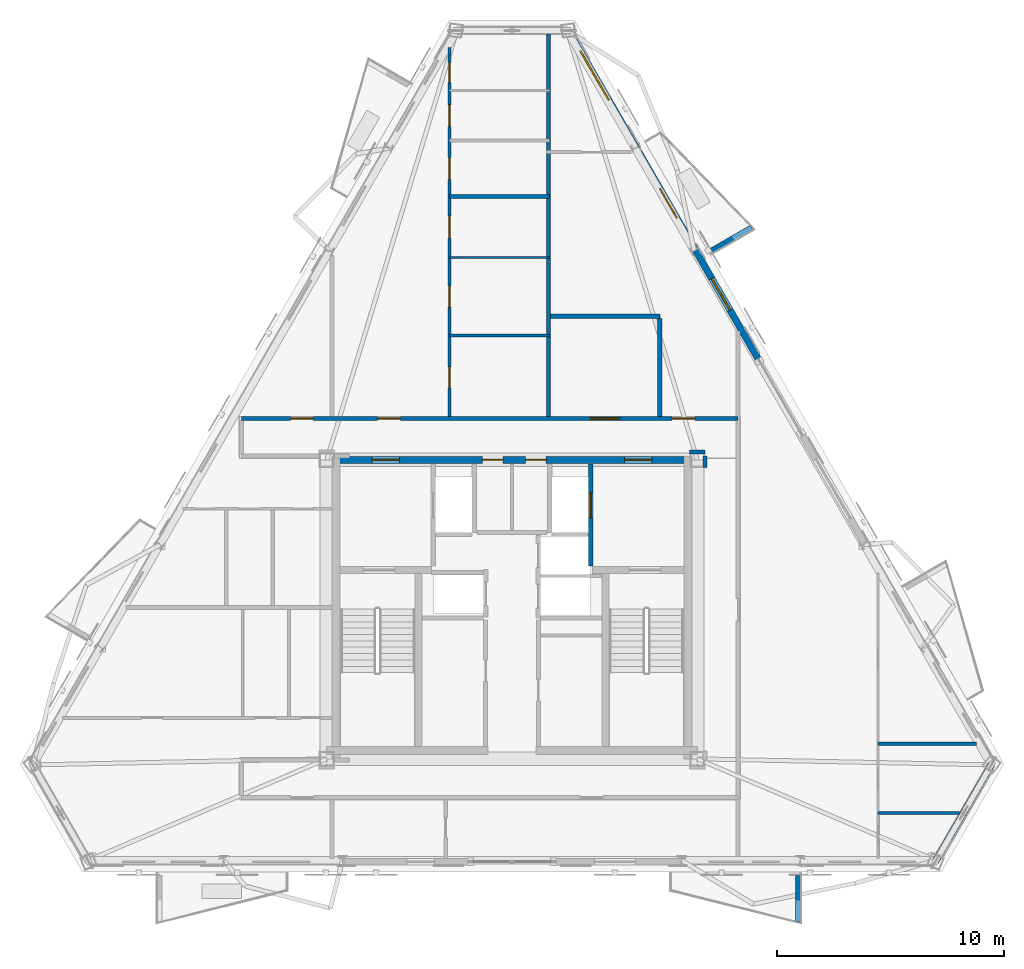
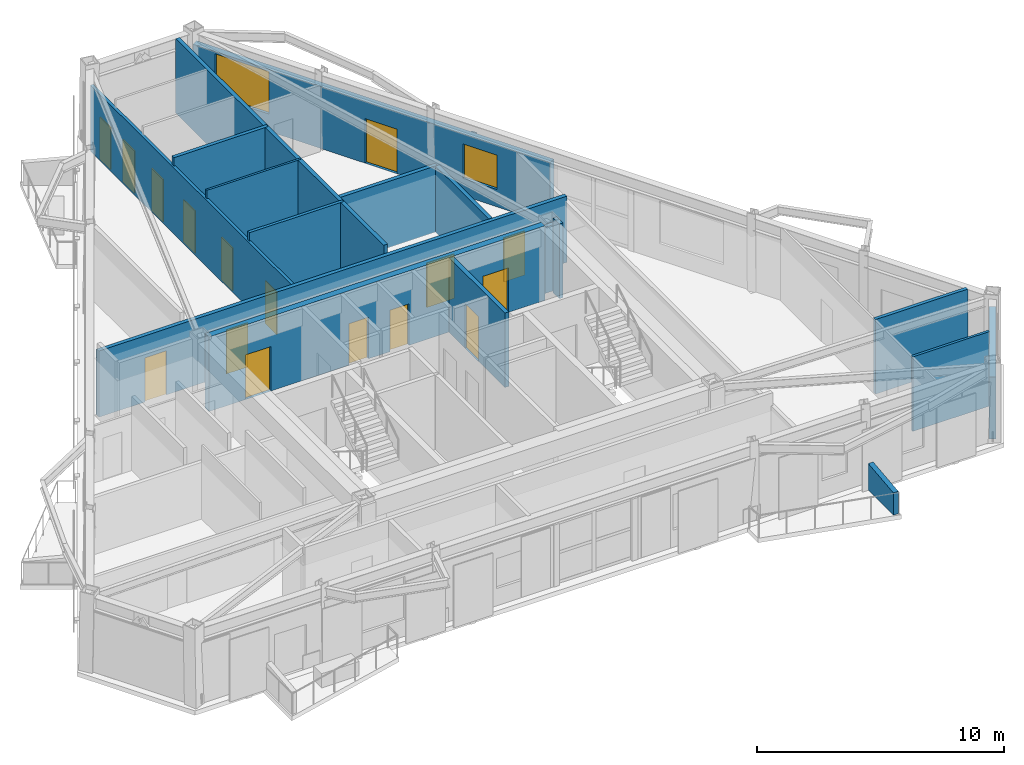
# One storey, part 10 of 15: 18 walls, 16 doors, 2 windows, 18 openings.
"""IFC4 building model written with IfcOpenShell, lengths in metres."""

from ifc_helpers import new_model, si_unit, direction, frame, frame_2d, origin, place, context, subcontext, project, spatial, polyline, rectangle, outline, extrude, material, layer, layer_set, type_object, element, fill, save


model = new_model("IFC4")

# Units and contexts
model_context = context("Model", 3, precision=1e-05, world=origin(), true_north=direction((0.0, 1.0)))
body_context = subcontext(model_context, "Body", "Model", "MODEL_VIEW")
ifc_project = project(units=[si_unit("LENGTHUNIT", "METRE"), si_unit("AREAUNIT", "SQUARE_METRE"), si_unit("VOLUMEUNIT", "CUBIC_METRE"), si_unit("PLANEANGLEUNIT", "RADIAN"), si_unit("MASSUNIT", "GRAM", prefix="KILO")], contexts=[model_context])

# Site, building, storey
site_placement = place(None, origin())
site = spatial("IfcSite", under=ifc_project, at=site_placement, CompositionType="ELEMENT")
building_placement = place(site_placement, origin())
building = spatial("IfcBuilding", under=site, at=building_placement, Name="Oramaril Tower", CompositionType="ELEMENT")
storey_placement = place(building_placement, frame((0.0, 0.0, 265.5)))
storey = spatial("IfcBuildingStorey", under=building, at=storey_placement, Name="L70", CompositionType="ELEMENT", Elevation=265.5)

# Wall
ifc_material_1 = material(Name="Warm Cream Limestone", Category="masonry")
ifc_layer_1 = layer(ifc_material_1, 0.2900390625)
ifc_layer_set_1 = layer_set([ifc_layer_1], Name="WT-EXT29")
wall_type_1 = type_object("IfcWallType", Name="WT-EXT29", PredefinedType="SOLIDWALL", material=ifc_layer_set_1)
wall_1_placement = place(storey_placement, frame((56.1240234375, 6.474853515625, 0.0), z_axis=(0.0, 0.0, 1.0), x_axis=(0.500012700186, 0.866018071205, 0.0)))
element("IfcWall", 1, at=wall_1_placement, inside=storey, type_object=wall_type_1, Name="L70 Tower Limestone Facade Wall 3M", PredefinedType="SOLIDWALL", context=body_context, shape_type="SweptSolid", body=[
    extrude(rectangle(XDim=4.975341796875, YDim=0.2900390625, at=frame_2d((2.48779296875, 0.0))), origin(), (0.0, 0.0, 1.0), 3.05810546875),
])

# Wall, openings, door, windows
wall_2_placement = place(storey_placement, frame((48.32470703125, 28.601318359375, 0.0), z_axis=(0.0, 0.0, 1.0), x_axis=(-0.499994109833, 0.866028804447, 0.0)))
wall_2 = element("IfcWall", 2, at=wall_2_placement, inside=storey, type_object=wall_type_1, Name="L70 Tower Limestone Facade Wall 4R", PredefinedType="SOLIDWALL", context=body_context, shape_type="SweptSolid", body=[
    extrude(rectangle(XDim=16.674072265625, YDim=0.2900390625, at=frame_2d((8.3369140625, 0.0))), origin(), (0.0, 0.0, 1.0), 3.05810546875),
])
opening_1_placement = place(wall_2_placement, frame((7.139892578125, 0.0, 0.0)))
opening_1 = element("IfcOpeningElement", 3, at=opening_1_placement, cuts=wall_2, Name="Opening D-L70-BAL-NE2", PredefinedType="OPENING", context=body_context, shape_type="SweptSolid", body=[
    extrude(rectangle(XDim=1.5, YDim=2.199951171875, at=frame_2d((0.75, 1.10009765625))), frame((0.0, 0.14501953125, 0.0), z_axis=(0.0, -1.0, 0.0), x_axis=(1.0, 0.0, 0.0)), (0.0, 0.0, 1.0), 0.2900390625),
])
opening_2_placement = place(wall_2_placement, frame((2.47216796875, 0.0, 0.85009765625)))
opening_2 = element("IfcOpeningElement", 4, at=opening_2_placement, cuts=wall_2, Name="Opening WN-07", PredefinedType="OPENING", context=body_context, shape_type="SweptSolid", body=[
    extrude(rectangle(XDim=1.60009765625, YDim=1.699951171875, at=frame_2d((0.800048828125, 0.85009765625))), frame((0.0, 0.14501953125, 0.0), z_axis=(0.0, -1.0, 0.0), x_axis=(1.0, 0.0, 0.0)), (0.0, 0.0, 1.0), 0.2900390625),
])
opening_3_placement = place(wall_2_placement, frame((13.1376953125, 0.0, 0.85009765625)))
opening_3 = element("IfcOpeningElement", 5, at=opening_3_placement, cuts=wall_2, Name="Opening WN-11", PredefinedType="OPENING", context=body_context, shape_type="SweptSolid", body=[
    extrude(rectangle(XDim=2.5, YDim=2.097900390625, at=frame_2d((1.25, 1.048828125))), frame((0.0, 0.14501953125, 0.0), z_axis=(0.0, -1.0, 0.0), x_axis=(1.0, 0.0, 0.0)), (0.0, 0.0, 1.0), 0.2900390625),
])
ifc_material_2 = material(Name="Anodised Aluminium 6063-T6", Category="aluminium")
door_type_1 = type_object("IfcDoorType", Name="DT-BAL", OperationType="NOTDEFINED", PredefinedType="DOOR", material=ifc_material_2)
door_1_placement = place(opening_1_placement, origin())
door_1 = element("IfcDoor", 6, at=door_1_placement, inside=storey, type_object=door_type_1, Name="L70 Balcony Glazed Door L70-BAL-NE2", OperationType="SINGLE_SWING_RIGHT", OverallHeight=2.199951171875, OverallWidth=1.5, PredefinedType="DOOR", context=body_context, shape_type="SweptSolid", body=[
    extrude(rectangle(XDim=1.5, YDim=2.199951171875, at=frame_2d((0.75, 1.10009765625))), frame((0.0, 0.02490234375, 0.0), z_axis=(0.0, -1.0, 0.0), x_axis=(1.0, 0.0, 0.0)), (0.0, 0.0, 1.0), 0.050048828125),
])
fill(opening_1, door_1)
ifc_material_3 = material(Name="Coastal Low-E Insulated Glass", Category="glass")
window_type_1 = type_object("IfcWindowType", Name="WNT-07", PartitioningType="SINGLE_PANEL", PredefinedType="WINDOW", material=ifc_material_3)
window_1_placement = place(opening_2_placement, origin())
window_1 = element("IfcWindow", 7, at=window_1_placement, inside=storey, type_object=window_type_1, Name="L70 Chicago Bay Window WN-07", OverallHeight=1.699951171875, OverallWidth=1.60009765625, PartitioningType="SINGLE_PANEL", PredefinedType="WINDOW", context=body_context, shape_type="SweptSolid", body=[
    extrude(rectangle(XDim=1.60009765625, YDim=1.699951171875, at=frame_2d((0.800048828125, 0.85009765625))), frame((0.0, 0.030029296875, 0.0), z_axis=(0.0, -1.0, 0.0), x_axis=(1.0, 0.0, 0.0)), (0.0, 0.0, 1.0), 0.06005859375),
])
fill(opening_2, window_1)
ifc_material_4 = material(Name="Coastal Low-E Insulated Glass", Category="glass")
window_type_2 = type_object("IfcWindowType", Name="WNT-11", PartitioningType="SINGLE_PANEL", PredefinedType="WINDOW", material=ifc_material_4)
window_2_placement = place(opening_3_placement, origin())
window_2 = element("IfcWindow", 8, at=window_2_placement, inside=storey, type_object=window_type_2, Name="L70 Chicago Bay Window WN-11", OverallHeight=2.097900390625, OverallWidth=2.5, PartitioningType="SINGLE_PANEL", PredefinedType="WINDOW", context=body_context, shape_type="SweptSolid", body=[
    extrude(rectangle(XDim=2.5, YDim=2.097900390625, at=frame_2d((1.25, 1.048828125))), frame((0.0, 0.030029296875, 0.0), z_axis=(0.0, -1.0, 0.0), x_axis=(1.0, 0.0, 0.0)), (0.0, 0.0, 1.0), 0.06005859375),
])
fill(opening_3, window_2)

# Walls
ifc_material_5 = material(Name="Concrete C40/50", Category="concrete")
ifc_layer_2 = layer(ifc_material_5, 0.22998046875)
ifc_layer_set_2 = layer_set([ifc_layer_2], Name="WT-PRP23")
wall_type_2 = type_object("IfcWallType", Name="WT-PRP23", PredefinedType="PARAPET", material=ifc_layer_set_2)
for number, where, z_axis, x_axis, name in (
    (9, (50.084716796875, 5.876708984375, 0.0), (0.0, 0.0, 1.0), (0.0, -1.0, 0.0), "L70 Trapezoidal Balcony Frame Cheek L70-BAL-S2-R"),
    (10, (46.270263671875, 33.355712890625, 0.0), (0.0, 0.0, 1.0), (0.866042246008, 0.499970827278, 0.0), "L70 Trapezoidal Balcony Frame Cheek L70-BAL-NE2-L"),
):
    element("IfcWall", number, at=place(storey_placement, frame(where, z_axis=z_axis, x_axis=x_axis)), inside=storey, type_object=wall_type_2, Name=name, PredefinedType="PARAPET", context=body_context, shape_type="SweptSolid", body=[
        extrude(outline(polyline([(0.0, 0.0), (2.0419921875, 0.0), (2.0419921875, 1.10009765625), (0.0, 1.320068359375), (0.0, 0.0)])), frame((0.0, 0.114990234375, 0.0), z_axis=(0.0, -1.0, 0.0), x_axis=(1.0, 0.0, 0.0)), (0.0, 0.0, 1.0), 0.22998046875),
    ])
ifc_material_6 = material(Name="Acoustic Gypsum Board Partition")
ifc_layer_3 = layer(ifc_material_6, 0.10009765625)
ifc_layer_set_3 = layer_set([ifc_layer_3], Name="WT-PT10")
wall_type_3 = type_object("IfcWallType", Name="WT-PT10", PredefinedType="PARTITIONING", material=ifc_layer_set_3)
wall_3_placement = place(storey_placement, frame((34.75, 33.050048828125, 0.0), z_axis=(0.0, 0.0, 1.0), x_axis=(1.0, 0.0, 0.0)))
element("IfcWall", 11, at=wall_3_placement, inside=storey, type_object=wall_type_3, Name="L70 Interior Partition PT-10", PredefinedType="PARTITIONING", context=body_context, shape_type="SweptSolid", body=[
    extrude(rectangle(XDim=4.39990234375, YDim=0.10009765625, at=frame_2d((2.199951171875, 0.0))), origin(), (0.0, 0.0, 1.0), 3.679931640625),
])
ifc_material_7 = material(Name="Acoustic Gypsum Board Partition")
ifc_layer_4 = layer(ifc_material_7, 0.1201171875)
ifc_layer_set_4 = layer_set([ifc_layer_4], Name="WT-PT12")
wall_type_4 = type_object("IfcWallType", Name="WT-PT12", PredefinedType="PARTITIONING", material=ifc_layer_set_4)
wall_4_placement = place(storey_placement, frame((53.603515625, 8.6201171875, 0.0), z_axis=(0.0, 0.0, 1.0), x_axis=(1.0, 0.0, 0.0)))
element("IfcWall", 12, at=wall_4_placement, inside=storey, type_object=wall_type_4, Name="L70 Interior Partition PT-12", PredefinedType="PARTITIONING", context=body_context, shape_type="SweptSolid", body=[
    extrude(rectangle(XDim=3.587158203125, YDim=0.1201171875, at=frame_2d((1.79345703125, 0.0))), origin(), (0.0, 0.0, 1.0), 3.679931640625),
])
ifc_material_8 = material(Name="Acoustic Gypsum Board Partition")
ifc_layer_5 = layer(ifc_material_8, 0.139892578125)
ifc_layer_set_5 = layer_set([ifc_layer_5], Name="WT-PT14")
wall_type_5 = type_object("IfcWallType", Name="WT-PT14", PredefinedType="PARTITIONING", material=ifc_layer_set_5)
wall_5_placement = place(storey_placement, frame((34.75, 29.6201171875, 0.0), z_axis=(0.0, 0.0, 1.0), x_axis=(1.0, 0.0, 0.0)))
element("IfcWall", 13, at=wall_5_placement, inside=storey, type_object=wall_type_5, Name="L70 Interior Partition PT-14", PredefinedType="PARTITIONING", context=body_context, shape_type="SweptSolid", body=[
    extrude(rectangle(XDim=4.39990234375, YDim=0.139892578125, at=frame_2d((2.199951171875, 0.0))), origin(), (0.0, 0.0, 1.0), 3.679931640625),
])

# Wall, openings, doors
wall_6_placement = place(storey_placement, frame((34.75, 26.06396484375, 0.0), z_axis=(0.0, 0.0, 1.0), x_axis=(0.0, 1.0, 0.0)))
wall_6 = element("IfcWall", 14, at=wall_6_placement, inside=storey, type_object=wall_type_5, Name="L70 Interior Partition PT-14", PredefinedType="PARTITIONING", context=body_context, shape_type="SweptSolid", body=[
    extrude(rectangle(XDim=16.225341796875, YDim=0.139892578125, at=frame_2d((8.11279296875, 0.0))), origin(), (0.0, 0.0, 1.0), 3.26611328125),
])
opening_4_placement = place(wall_6_placement, frame((1.25439453125, 0.0, 0.0)))
opening_4 = element("IfcOpeningElement", 15, at=opening_4_placement, cuts=wall_6, Name="Opening D-L70-15", PredefinedType="OPENING", context=body_context, shape_type="SweptSolid", body=[
    extrude(rectangle(XDim=0.919921875, YDim=2.1201171875, at=frame_2d((0.4599609375, 1.06005859375))), frame((0.0, 0.06982421875, 0.0), z_axis=(0.0, -1.0, 0.0), x_axis=(1.0, 0.0, 0.0)), (0.0, 0.0, 1.0), 0.139892578125),
])
opening_5_placement = place(wall_6_placement, frame((4.80859375, 0.0, 0.0)))
opening_5 = element("IfcOpeningElement", 16, at=opening_5_placement, cuts=wall_6, Name="Opening D-L70-16", PredefinedType="OPENING", context=body_context, shape_type="SweptSolid", body=[
    extrude(rectangle(XDim=0.919921875, YDim=2.1201171875, at=frame_2d((0.4599609375, 1.06005859375))), frame((0.0, 0.06982421875, 0.0), z_axis=(0.0, -1.0, 0.0), x_axis=(1.0, 0.0, 0.0)), (0.0, 0.0, 1.0), 0.139892578125),
])
opening_6_placement = place(wall_6_placement, frame((7.857666015625, 0.0, 0.0)))
opening_6 = element("IfcOpeningElement", 17, at=opening_6_placement, cuts=wall_6, Name="Opening D-L70-17", PredefinedType="OPENING", context=body_context, shape_type="SweptSolid", body=[
    extrude(rectangle(XDim=0.949951171875, YDim=2.10009765625, at=frame_2d((0.47509765625, 1.050048828125))), frame((0.0, 0.06982421875, 0.0), z_axis=(0.0, -1.0, 0.0), x_axis=(1.0, 0.0, 0.0)), (0.0, 0.0, 1.0), 0.139892578125),
])
opening_7_placement = place(wall_6_placement, frame((10.431396484375, 0.0, 0.0)))
opening_7 = element("IfcOpeningElement", 18, at=opening_7_placement, cuts=wall_6, Name="Opening D-L70-18", PredefinedType="OPENING", context=body_context, shape_type="SweptSolid", body=[
    extrude(rectangle(XDim=0.949951171875, YDim=2.10009765625, at=frame_2d((0.47509765625, 1.050048828125))), frame((0.0, 0.06982421875, 0.0), z_axis=(0.0, -1.0, 0.0), x_axis=(1.0, 0.0, 0.0)), (0.0, 0.0, 1.0), 0.139892578125),
])
opening_8_placement = place(wall_6_placement, frame((12.7578125, 0.0, 0.0)))
opening_8 = element("IfcOpeningElement", 19, at=opening_8_placement, cuts=wall_6, Name="Opening D-L70-19", PredefinedType="OPENING", context=body_context, shape_type="SweptSolid", body=[
    extrude(rectangle(XDim=0.949951171875, YDim=2.10009765625, at=frame_2d((0.47509765625, 1.050048828125))), frame((0.0, 0.06982421875, 0.0), z_axis=(0.0, -1.0, 0.0), x_axis=(1.0, 0.0, 0.0)), (0.0, 0.0, 1.0), 0.139892578125),
])
opening_9_placement = place(wall_6_placement, frame((14.683349609375, 0.0, 0.0)))
opening_9 = element("IfcOpeningElement", 20, at=opening_9_placement, cuts=wall_6, Name="Opening D-L70-20", PredefinedType="OPENING", context=body_context, shape_type="SweptSolid", body=[
    extrude(rectangle(XDim=0.8798828125, YDim=2.080078125, at=frame_2d((0.43994140625, 1.0400390625))), frame((0.0, 0.06982421875, 0.0), z_axis=(0.0, -1.0, 0.0), x_axis=(1.0, 0.0, 0.0)), (0.0, 0.0, 1.0), 0.139892578125),
])
ifc_material_9 = material(Name="FSC Brazilian Freijo Hardwood", Category="wood")
door_type_2 = type_object("IfcDoorType", Name="DT-BATH", OperationType="NOTDEFINED", PredefinedType="DOOR", material=ifc_material_9)
door_2_placement = place(opening_9_placement, origin())
door_2 = element("IfcDoor", 21, at=door_2_placement, inside=storey, type_object=door_type_2, Name="L70 Flat L70-U5 Bathroom Door D-L70-20", OperationType="SINGLE_SWING_LEFT", OverallHeight=2.080078125, OverallWidth=0.8798828125, PredefinedType="DOOR", context=body_context, shape_type="SweptSolid", body=[
    extrude(rectangle(XDim=0.8798828125, YDim=2.080078125, at=frame_2d((0.43994140625, 1.0400390625))), frame((0.0, 0.02490234375, 0.0), z_axis=(0.0, -1.0, 0.0), x_axis=(1.0, 0.0, 0.0)), (0.0, 0.0, 1.0), 0.050048828125),
])
fill(opening_9, door_2)
ifc_material_10 = material(Name="FSC Brazilian Freijo Hardwood", Category="wood")
door_type_3 = type_object("IfcDoorType", Name="DT-BED", OperationType="NOTDEFINED", PredefinedType="DOOR", material=ifc_material_10)
door_3_placement = place(opening_4_placement, origin())
door_3 = element("IfcDoor", 22, at=door_3_placement, inside=storey, type_object=door_type_3, Name="L70 Flat L70-U5 Master Bedroom Door D-L70-15", OperationType="SINGLE_SWING_RIGHT", OverallHeight=2.1201171875, OverallWidth=0.919921875, PredefinedType="DOOR", context=body_context, shape_type="SweptSolid", body=[
    extrude(rectangle(XDim=0.919921875, YDim=2.1201171875, at=frame_2d((0.4599609375, 1.06005859375))), frame((0.0, 0.02490234375, 0.0), z_axis=(0.0, -1.0, 0.0), x_axis=(1.0, 0.0, 0.0)), (0.0, 0.0, 1.0), 0.050048828125),
])
fill(opening_4, door_3)
door_4_placement = place(opening_5_placement, origin())
door_4 = element("IfcDoor", 23, at=door_4_placement, inside=storey, type_object=door_type_3, Name="L70 Flat L70-U5 Bedroom 2 Door D-L70-16", OperationType="SINGLE_SWING_LEFT", OverallHeight=2.1201171875, OverallWidth=0.919921875, PredefinedType="DOOR", context=body_context, shape_type="SweptSolid", body=[
    extrude(rectangle(XDim=0.919921875, YDim=2.1201171875, at=frame_2d((0.4599609375, 1.06005859375))), frame((0.0, 0.02490234375, 0.0), z_axis=(0.0, -1.0, 0.0), x_axis=(1.0, 0.0, 0.0)), (0.0, 0.0, 1.0), 0.050048828125),
])
fill(opening_5, door_4)
ifc_material_11 = material(Name="FSC Brazilian Freijo Hardwood", Category="wood")
door_type_4 = type_object("IfcDoorType", Name="DT-STDY", OperationType="NOTDEFINED", PredefinedType="DOOR", material=ifc_material_11)
door_5_placement = place(opening_6_placement, origin())
door_5 = element("IfcDoor", 24, at=door_5_placement, inside=storey, type_object=door_type_4, Name="L70 Flat L70-U5 Reading Study Door D-L70-17", OperationType="SINGLE_SWING_RIGHT", OverallHeight=2.10009765625, OverallWidth=0.949951171875, PredefinedType="DOOR", context=body_context, shape_type="SweptSolid", body=[
    extrude(rectangle(XDim=0.949951171875, YDim=2.10009765625, at=frame_2d((0.47509765625, 1.050048828125))), frame((0.0, 0.02490234375, 0.0), z_axis=(0.0, -1.0, 0.0), x_axis=(1.0, 0.0, 0.0)), (0.0, 0.0, 1.0), 0.050048828125),
])
fill(opening_6, door_5)
door_6_placement = place(opening_7_placement, origin())
door_6 = element("IfcDoor", 25, at=door_6_placement, inside=storey, type_object=door_type_4, Name="L70 Flat L70-U5 Private Dining Room Door D-L70-18", OperationType="SINGLE_SWING_LEFT", OverallHeight=2.10009765625, OverallWidth=0.949951171875, PredefinedType="DOOR", context=body_context, shape_type="SweptSolid", body=[
    extrude(rectangle(XDim=0.949951171875, YDim=2.10009765625, at=frame_2d((0.47509765625, 1.050048828125))), frame((0.0, 0.02490234375, 0.0), z_axis=(0.0, -1.0, 0.0), x_axis=(1.0, 0.0, 0.0)), (0.0, 0.0, 1.0), 0.050048828125),
])
fill(opening_7, door_6)
door_7_placement = place(opening_8_placement, origin())
door_7 = element("IfcDoor", 26, at=door_7_placement, inside=storey, type_object=door_type_4, Name="L70 Flat L70-U5 Kitchen Door D-L70-19", OperationType="SINGLE_SWING_RIGHT", OverallHeight=2.10009765625, OverallWidth=0.949951171875, PredefinedType="DOOR", context=body_context, shape_type="SweptSolid", body=[
    extrude(rectangle(XDim=0.949951171875, YDim=2.10009765625, at=frame_2d((0.47509765625, 1.050048828125))), frame((0.0, 0.02490234375, 0.0), z_axis=(0.0, -1.0, 0.0), x_axis=(1.0, 0.0, 0.0)), (0.0, 0.0, 1.0), 0.050048828125),
])
fill(opening_8, door_7)

# Walls
ifc_material_12 = material(Name="Acoustic Gypsum Board Partition")
ifc_layer_6 = layer(ifc_material_12, 0.159912109375)
ifc_layer_set_6 = layer_set([ifc_layer_6], Name="WT-PT16")
wall_type_6 = type_object("IfcWallType", Name="WT-PT16", PredefinedType="PARTITIONING", material=ifc_layer_set_6)
wall_7_placement = place(storey_placement, frame((53.603515625, 11.669921875, 0.0), z_axis=(0.0, 0.0, 1.0), x_axis=(1.0, 0.0, 0.0)))
element("IfcWall", 27, at=wall_7_placement, inside=storey, type_object=wall_type_6, Name="L70 Interior Partition PT-16", PredefinedType="PARTITIONING", context=body_context, shape_type="SweptSolid", body=[
    extrude(rectangle(XDim=4.324462890625, YDim=0.159912109375, at=frame_2d((2.162109375, 0.0))), origin(), (0.0, 0.0, 1.0), 3.679931640625),
])
wall_8_placement = place(storey_placement, frame((34.75, 35.739990234375, 0.0), z_axis=(0.0, 0.0, 1.0), x_axis=(1.0, 0.0, 0.0)))
element("IfcWall", 28, at=wall_8_placement, inside=storey, type_object=wall_type_6, Name="L70 Interior Partition PT-16", PredefinedType="PARTITIONING", context=body_context, shape_type="SweptSolid", body=[
    extrude(rectangle(XDim=4.39990234375, YDim=0.159912109375, at=frame_2d((2.199951171875, 0.0))), origin(), (0.0, 0.0, 1.0), 3.679931640625),
])
ifc_material_13 = material(Name="Autoclaved Cellular Concrete Block", Category="concrete")
ifc_layer_7 = layer(ifc_material_13, 0.179931640625)
ifc_layer_set_7 = layer_set([ifc_layer_7], Name="WT-PT18")
wall_type_7 = type_object("IfcWallType", Name="WT-PT18", PredefinedType="PARTITIONING", material=ifc_layer_set_7)
wall_9_placement = place(storey_placement, frame((45.304931640625, 24.5, 0.0), z_axis=(0.0, 0.0, 1.0), x_axis=(1.0, 0.0, 0.0)))
element("IfcWall", 29, at=wall_9_placement, inside=storey, type_object=wall_type_7, Name="L70 Interior Partition PT-18", PredefinedType="PARTITIONING", context=body_context, shape_type="SweptSolid", body=[
    extrude(rectangle(XDim=0.690185546875, YDim=0.179931640625, at=frame_2d((0.34521484375, 0.0))), origin(), (0.0, 0.0, 1.0), 3.26611328125),
])

# Wall, openings, doors
wall_10_placement = place(storey_placement, frame((25.60009765625, 25.969970703125, 0.0), z_axis=(0.0, 0.0, 1.0), x_axis=(1.0, 0.0, 0.0)))
wall_10 = element("IfcWall", 30, at=wall_10_placement, inside=storey, type_object=wall_type_7, Name="L70 Interior Partition PT-18", PredefinedType="PARTITIONING", context=body_context, shape_type="SweptSolid", body=[
    extrude(rectangle(XDim=21.849853515625, YDim=0.179931640625, at=frame_2d((10.9248046875, 0.0))), origin(), (0.0, 0.0, 1.0), 3.26611328125),
])
opening_10_placement = place(wall_10_placement, frame((2.160400390625, 0.0, 0.0)))
opening_10 = element("IfcOpeningElement", 31, at=opening_10_placement, cuts=wall_10, Name="Opening D-L70-09", PredefinedType="OPENING", context=body_context, shape_type="SweptSolid", body=[
    extrude(rectangle(XDim=1.0, YDim=2.179931640625, at=frame_2d((0.5, 1.08984375))), frame((0.0, 0.08984375, 0.0), z_axis=(0.0, -1.0, 0.0), x_axis=(1.0, 0.0, 0.0)), (0.0, 0.0, 1.0), 0.179931640625),
])
opening_11_placement = place(wall_10_placement, frame((5.991455078125, 0.0, 0.0)))
opening_11 = element("IfcOpeningElement", 32, at=opening_11_placement, cuts=wall_10, Name="Opening D-L70-10", PredefinedType="OPENING", context=body_context, shape_type="SweptSolid", body=[
    extrude(rectangle(XDim=1.0, YDim=2.179931640625, at=frame_2d((0.5, 1.08984375))), frame((0.0, 0.08984375, 0.0), z_axis=(0.0, -1.0, 0.0), x_axis=(1.0, 0.0, 0.0)), (0.0, 0.0, 1.0), 0.179931640625),
])
opening_12_placement = place(wall_10_placement, frame((15.35009765625, 0.0, 0.0)))
opening_12 = element("IfcOpeningElement", 33, at=opening_12_placement, cuts=wall_10, Name="Opening D-L70-11", PredefinedType="OPENING", context=body_context, shape_type="SweptSolid", body=[
    extrude(rectangle(XDim=1.300048828125, YDim=2.199951171875, at=frame_2d((0.64990234375, 1.10009765625))), frame((0.0, 0.08984375, 0.0), z_axis=(0.0, -1.0, 0.0), x_axis=(1.0, 0.0, 0.0)), (0.0, 0.0, 1.0), 0.179931640625),
])
opening_13_placement = place(wall_10_placement, frame((18.9404296875, 0.0, 0.0)))
opening_13 = element("IfcOpeningElement", 34, at=opening_13_placement, cuts=wall_10, Name="Opening D-L70-12", PredefinedType="OPENING", context=body_context, shape_type="SweptSolid", body=[
    extrude(rectangle(XDim=1.0, YDim=2.179931640625, at=frame_2d((0.5, 1.08984375))), frame((0.0, 0.08984375, 0.0), z_axis=(0.0, -1.0, 0.0), x_axis=(1.0, 0.0, 0.0)), (0.0, 0.0, 1.0), 0.179931640625),
])
ifc_material_14 = material(Name="FSC Brazilian Freijo Hardwood", Category="wood")
door_type_5 = type_object("IfcDoorType", Name="DT-APT", OperationType="NOTDEFINED", PredefinedType="DOOR", material=ifc_material_14)
door_8_placement = place(opening_10_placement, origin())
door_8 = element("IfcDoor", 35, at=door_8_placement, inside=storey, type_object=door_type_5, Name="L70 Flat L70-U3 Living and Dining Room Door D-L70-09", OperationType="SINGLE_SWING_RIGHT", OverallHeight=2.179931640625, OverallWidth=1.0, PredefinedType="DOOR", context=body_context, shape_type="SweptSolid", body=[
    extrude(rectangle(XDim=1.0, YDim=2.179931640625, at=frame_2d((0.5, 1.08984375))), frame((0.0, 0.02490234375, 0.0), z_axis=(0.0, -1.0, 0.0), x_axis=(1.0, 0.0, 0.0)), (0.0, 0.0, 1.0), 0.050048828125),
])
fill(opening_10, door_8)
door_9_placement = place(opening_11_placement, origin())
door_9 = element("IfcDoor", 36, at=door_9_placement, inside=storey, type_object=door_type_5, Name="L70 Flat L70-U5 2-Bedroom Living and Dining Room Door D-L70-10", OperationType="SINGLE_SWING_LEFT", OverallHeight=2.179931640625, OverallWidth=1.0, PredefinedType="DOOR", context=body_context, shape_type="SweptSolid", body=[
    extrude(rectangle(XDim=1.0, YDim=2.179931640625, at=frame_2d((0.5, 1.08984375))), frame((0.0, 0.02490234375, 0.0), z_axis=(0.0, -1.0, 0.0), x_axis=(1.0, 0.0, 0.0)), (0.0, 0.0, 1.0), 0.050048828125),
])
fill(opening_11, door_9)
door_10_placement = place(opening_13_placement, origin())
door_10 = element("IfcDoor", 37, at=door_10_placement, inside=storey, type_object=door_type_5, Name="L70 Flat L70-U6 Kitchen and Studio Apartment Door D-L70-12", OperationType="SINGLE_SWING_LEFT", OverallHeight=2.179931640625, OverallWidth=1.0, PredefinedType="DOOR", context=body_context, shape_type="SweptSolid", body=[
    extrude(rectangle(XDim=1.0, YDim=2.179931640625, at=frame_2d((0.5, 1.08984375))), frame((0.0, 0.02490234375, 0.0), z_axis=(0.0, -1.0, 0.0), x_axis=(1.0, 0.0, 0.0)), (0.0, 0.0, 1.0), 0.050048828125),
])
fill(opening_13, door_10)
ifc_material_15 = material(Name="FSC Brazilian Freijo Hardwood", Category="wood")
door_type_6 = type_object("IfcDoorType", Name="DT-COM", OperationType="NOTDEFINED", PredefinedType="DOOR", material=ifc_material_15)
door_11_placement = place(opening_12_placement, origin())
door_11 = element("IfcDoor", 38, at=door_11_placement, inside=storey, type_object=door_type_6, Name="L70 L70 Residents Reading Library Door D-L70-11", OperationType="SINGLE_SWING_RIGHT", OverallHeight=2.199951171875, OverallWidth=1.300048828125, PredefinedType="DOOR", context=body_context, shape_type="SweptSolid", body=[
    extrude(rectangle(XDim=1.300048828125, YDim=2.199951171875, at=frame_2d((0.64990234375, 1.10009765625))), frame((0.0, 0.02490234375, 0.0), z_axis=(0.0, -1.0, 0.0), x_axis=(1.0, 0.0, 0.0)), (0.0, 0.0, 1.0), 0.050048828125),
])
fill(opening_12, door_11)

# Walls
wall_11_placement = place(storey_placement, frame((39.199951171875, 30.469970703125, 0.0), z_axis=(0.0, 0.0, 1.0), x_axis=(1.0, 0.0, 0.0)))
element("IfcWall", 39, at=wall_11_placement, inside=storey, type_object=wall_type_7, Name="L70 Interior Partition PT-18", PredefinedType="PARTITIONING", context=body_context, shape_type="SweptSolid", body=[
    extrude(rectangle(XDim=4.800048828125, YDim=0.179931640625, at=frame_2d((2.39990234375, 0.0))), origin(), (0.0, 0.0, 1.0), 3.26611328125),
])
wall_12_placement = place(storey_placement, frame((39.10009765625, 26.06396484375, 0.0), z_axis=(0.0, 0.0, 1.0), x_axis=(0.0, 1.0, 0.0)))
element("IfcWall", 40, at=wall_12_placement, inside=storey, type_object=wall_type_7, Name="L70 Interior Partition PT-18", PredefinedType="PARTITIONING", context=body_context, shape_type="SweptSolid", body=[
    extrude(rectangle(XDim=16.82861328125, YDim=0.179931640625, at=frame_2d((8.414306640625, 0.0))), origin(), (0.0, 0.0, 1.0), 3.679931640625),
])
wall_13_placement = place(storey_placement, frame((44.0, 26.06396484375, 0.0), z_axis=(0.0, 0.0, 1.0), x_axis=(0.0, 1.0, 0.0)))
element("IfcWall", 41, at=wall_13_placement, inside=storey, type_object=wall_type_7, Name="L70 Interior Partition PT-18", PredefinedType="PARTITIONING", context=body_context, shape_type="SweptSolid", body=[
    extrude(rectangle(XDim=4.31201171875, YDim=0.179931640625, at=frame_2d((2.156005859375, 0.0))), origin(), (0.0, 0.0, 1.0), 3.26611328125),
])
wall_14_placement = place(storey_placement, frame((45.989990234375, 23.81005859375, 0.0), z_axis=(0.0, 0.0, 1.0), x_axis=(0.0, 1.0, 0.0)))
element("IfcWall", 42, at=wall_14_placement, inside=storey, type_object=wall_type_7, Name="L70 Interior Partition PT-18", PredefinedType="PARTITIONING", context=body_context, shape_type="SweptSolid", body=[
    extrude(rectangle(XDim=0.510009765625, YDim=0.179931640625, at=frame_2d((0.2548828125, 0.0))), origin(), (0.0, 0.0, 1.0), 3.679931640625),
])

# Wall, openings, doors
ifc_material_16 = material(Name="Concrete C50/60", Category="concrete")
ifc_layer_8 = layer(ifc_material_16, 0.300048828125)
ifc_layer_set_8 = layer_set([ifc_layer_8], Name="WT-SH30")
wall_type_8 = type_object("IfcWallType", Name="WT-SH30", PredefinedType="SHEAR", material=ifc_layer_set_8)
wall_15_placement = place(storey_placement, frame((29.64990234375, 24.14990234375, 0.0), z_axis=(0.0, 0.0, 1.0), x_axis=(1.0, 0.0, 0.0)))
wall_15 = element("IfcWall", 43, at=wall_15_placement, inside=storey, type_object=wall_type_8, Name="L70 Core Shear Wall CW-N", PredefinedType="SHEAR", context=body_context, shape_type="SweptSolid", body=[
    extrude(rectangle(XDim=15.7001953125, YDim=0.300048828125, at=frame_2d((7.85009765625, 0.0))), origin(), (0.0, 0.0, 1.0), 3.679931640625),
])
opening_14_placement = place(wall_15_placement, frame((1.699951171875, 0.0, 0.0)))
opening_14 = element("IfcOpeningElement", 44, at=opening_14_placement, cuts=wall_15, Name="Opening D-L70-FFL1", PredefinedType="OPENING", context=body_context, shape_type="SweptSolid", body=[
    extrude(rectangle(XDim=1.199951171875, YDim=2.199951171875, at=frame_2d((0.60009765625, 1.10009765625))), frame((0.0, 0.14990234375, 0.0), z_axis=(0.0, -1.0, 0.0), x_axis=(1.0, 0.0, 0.0)), (0.0, 0.0, 1.0), 0.300048828125),
])
opening_15_placement = place(wall_15_placement, frame((12.800048828125, 0.0, 0.0)))
opening_15 = element("IfcOpeningElement", 45, at=opening_15_placement, cuts=wall_15, Name="Opening D-L70-FFL2", PredefinedType="OPENING", context=body_context, shape_type="SweptSolid", body=[
    extrude(rectangle(XDim=1.199951171875, YDim=2.199951171875, at=frame_2d((0.60009765625, 1.10009765625))), frame((0.0, 0.14990234375, 0.0), z_axis=(0.0, -1.0, 0.0), x_axis=(1.0, 0.0, 0.0)), (0.0, 0.0, 1.0), 0.300048828125),
])
opening_16_placement = place(wall_15_placement, frame((6.550048828125, 0.0, 0.0)))
opening_16 = element("IfcOpeningElement", 46, at=opening_16_placement, cuts=wall_15, Name="Opening D-L70-SV1", PredefinedType="OPENING", context=body_context, shape_type="SweptSolid", body=[
    extrude(rectangle(XDim=0.89990234375, YDim=2.050048828125, at=frame_2d((0.449951171875, 1.02490234375))), frame((0.0, 0.14990234375, 0.0), z_axis=(0.0, -1.0, 0.0), x_axis=(1.0, 0.0, 0.0)), (0.0, 0.0, 1.0), 0.300048828125),
])
opening_17_placement = place(wall_15_placement, frame((8.449951171875, 0.0, 0.0)))
opening_17 = element("IfcOpeningElement", 47, at=opening_17_placement, cuts=wall_15, Name="Opening D-L70-SV2", PredefinedType="OPENING", context=body_context, shape_type="SweptSolid", body=[
    extrude(rectangle(XDim=0.89990234375, YDim=2.050048828125, at=frame_2d((0.449951171875, 1.02490234375))), frame((0.0, 0.14990234375, 0.0), z_axis=(0.0, -1.0, 0.0), x_axis=(1.0, 0.0, 0.0)), (0.0, 0.0, 1.0), 0.300048828125),
])
ifc_material_17 = material(Name="Painted Galvanised Steel", Category="steel")
door_type_7 = type_object("IfcDoorType", Name="DT-FFL", OperationType="NOTDEFINED", PredefinedType="DOOR", material=ifc_material_17)
door_12_placement = place(opening_14_placement, origin())
door_12 = element("IfcDoor", 48, at=door_12_placement, inside=storey, type_object=door_type_7, Name="L70 Firefighting Lobby 1 Fire Door", OperationType="SINGLE_SWING_LEFT", OverallHeight=2.199951171875, OverallWidth=1.199951171875, PredefinedType="DOOR", context=body_context, shape_type="SweptSolid", body=[
    extrude(rectangle(XDim=1.199951171875, YDim=2.199951171875, at=frame_2d((0.60009765625, 1.10009765625))), frame((0.0, 0.02490234375, 0.0), z_axis=(0.0, -1.0, 0.0), x_axis=(1.0, 0.0, 0.0)), (0.0, 0.0, 1.0), 0.050048828125),
])
fill(opening_14, door_12)
door_13_placement = place(opening_15_placement, origin())
door_13 = element("IfcDoor", 49, at=door_13_placement, inside=storey, type_object=door_type_7, Name="L70 Firefighting Lobby 2 Fire Door", OperationType="SINGLE_SWING_RIGHT", OverallHeight=2.199951171875, OverallWidth=1.199951171875, PredefinedType="DOOR", context=body_context, shape_type="SweptSolid", body=[
    extrude(rectangle(XDim=1.199951171875, YDim=2.199951171875, at=frame_2d((0.60009765625, 1.10009765625))), frame((0.0, 0.02490234375, 0.0), z_axis=(0.0, -1.0, 0.0), x_axis=(1.0, 0.0, 0.0)), (0.0, 0.0, 1.0), 0.050048828125),
])
fill(opening_15, door_13)
ifc_material_18 = material(Name="Painted Galvanised Steel", Category="steel")
door_type_8 = type_object("IfcDoorType", Name="DT-SVC", OperationType="NOTDEFINED", PredefinedType="DOOR", material=ifc_material_18)
door_14_placement = place(opening_16_placement, origin())
door_14 = element("IfcDoor", 50, at=door_14_placement, inside=storey, type_object=door_type_8, Name="L70 Core Service Store 1 Door", OperationType="SINGLE_SWING_LEFT", OverallHeight=2.050048828125, OverallWidth=0.89990234375, PredefinedType="DOOR", context=body_context, shape_type="SweptSolid", body=[
    extrude(rectangle(XDim=0.89990234375, YDim=2.050048828125, at=frame_2d((0.449951171875, 1.02490234375))), frame((0.0, 0.02490234375, 0.0), z_axis=(0.0, -1.0, 0.0), x_axis=(1.0, 0.0, 0.0)), (0.0, 0.0, 1.0), 0.050048828125),
])
fill(opening_16, door_14)
door_15_placement = place(opening_17_placement, origin())
door_15 = element("IfcDoor", 51, at=door_15_placement, inside=storey, type_object=door_type_8, Name="L70 Core Service Store 2 Door", OperationType="SINGLE_SWING_RIGHT", OverallHeight=2.050048828125, OverallWidth=0.89990234375, PredefinedType="DOOR", context=body_context, shape_type="SweptSolid", body=[
    extrude(rectangle(XDim=0.89990234375, YDim=2.050048828125, at=frame_2d((0.449951171875, 1.02490234375))), frame((0.0, 0.02490234375, 0.0), z_axis=(0.0, -1.0, 0.0), x_axis=(1.0, 0.0, 0.0)), (0.0, 0.0, 1.0), 0.050048828125),
])
fill(opening_17, door_15)

# Wall, opening, door
ifc_material_19 = material(Name="Autoclaved Cellular Concrete Block", Category="concrete")
ifc_layer_9 = layer(ifc_material_19, 0.199951171875)
ifc_layer_set_9 = layer_set([ifc_layer_9], Name="WT-SHF20")
wall_type_9 = type_object("IfcWallType", Name="WT-SHF20", PredefinedType="PARTITIONING", material=ifc_layer_set_9)
wall_16_placement = place(storey_placement, frame((40.9599609375, 19.47998046875, 0.0), z_axis=(0.0, 0.0, 1.0), x_axis=(0.0, 1.0, 0.0)))
wall_16 = element("IfcWall", 52, at=wall_16_placement, inside=storey, type_object=wall_type_9, Name="L70 FL-2 Lobby Shaft Wall", PredefinedType="PARTITIONING", context=body_context, shape_type="SweptSolid", body=[
    extrude(rectangle(XDim=4.5, YDim=0.199951171875, at=frame_2d((2.25, 0.0))), origin(), (0.0, 0.0, 1.0), 3.679931640625),
])
opening_18_placement = place(wall_16_placement, frame((2.1201171875, 0.0, 0.0)))
opening_18 = element("IfcOpeningElement", 53, at=opening_18_placement, cuts=wall_16, Name="Opening LD-L70-FL-2", PredefinedType="OPENING", context=body_context, shape_type="SweptSolid", body=[
    extrude(rectangle(XDim=1.10009765625, YDim=2.199951171875, at=frame_2d((0.550048828125, 1.10009765625))), frame((0.0, 0.10009765625, 0.0), z_axis=(0.0, -1.0, 0.0), x_axis=(1.0, 0.0, 0.0)), (0.0, 0.0, 1.0), 0.199951171875),
])
ifc_material_20 = material(Name="Stainless Steel 316L", Category="steel")
door_type_9 = type_object("IfcDoorType", Name="DT-LD1", OperationType="NOTDEFINED", PredefinedType="DOOR", material=ifc_material_20)
door_16_placement = place(opening_18_placement, origin())
door_16 = element("IfcDoor", 54, at=door_16_placement, inside=storey, type_object=door_type_9, Name="L70 Lift FL-2 Sliding Landing Door", OperationType="SLIDING_TO_RIGHT", OverallHeight=2.199951171875, OverallWidth=1.10009765625, PredefinedType="DOOR", context=body_context, shape_type="SweptSolid", body=[
    extrude(rectangle(XDim=1.10009765625, YDim=2.199951171875, at=frame_2d((0.550048828125, 1.10009765625))), frame((0.0, 0.02490234375, 0.0), z_axis=(0.0, -1.0, 0.0), x_axis=(1.0, 0.0, 0.0)), (0.0, 0.0, 1.0), 0.050048828125),
])
fill(opening_18, door_16)

save(model, "model.ifc")
